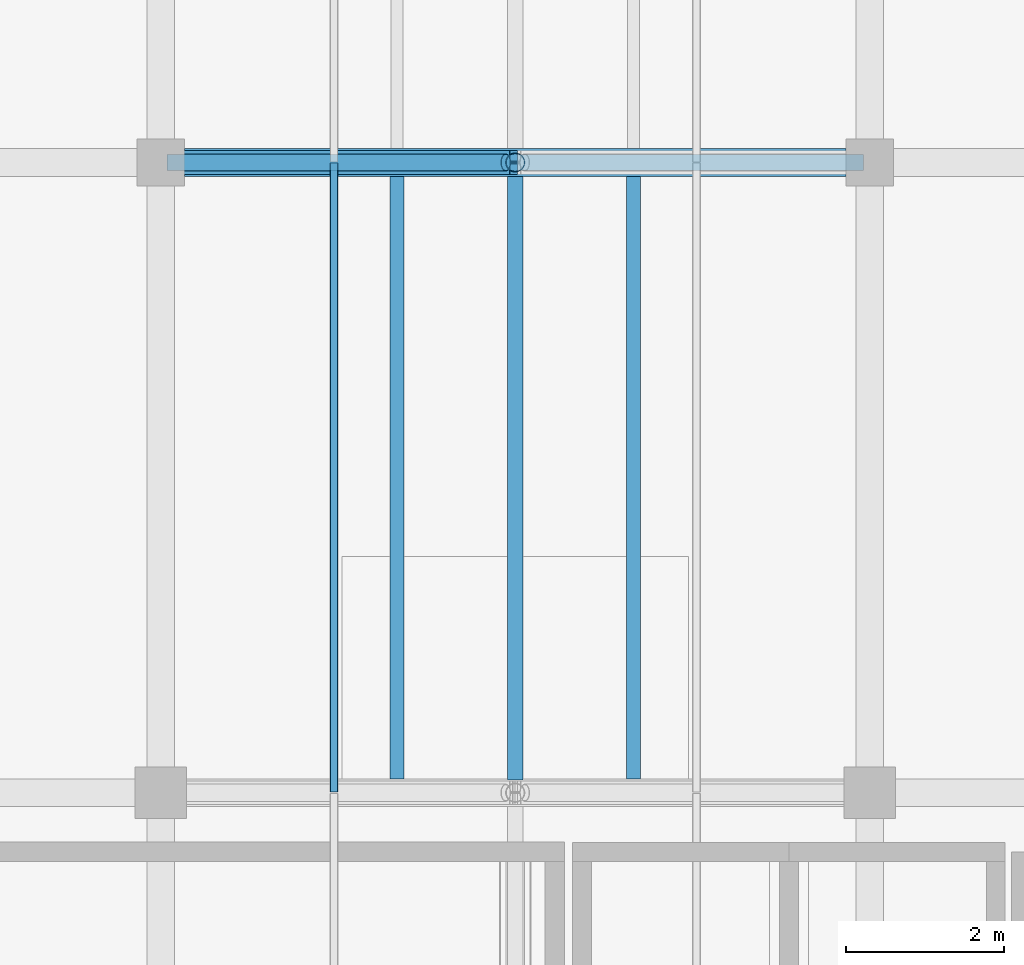
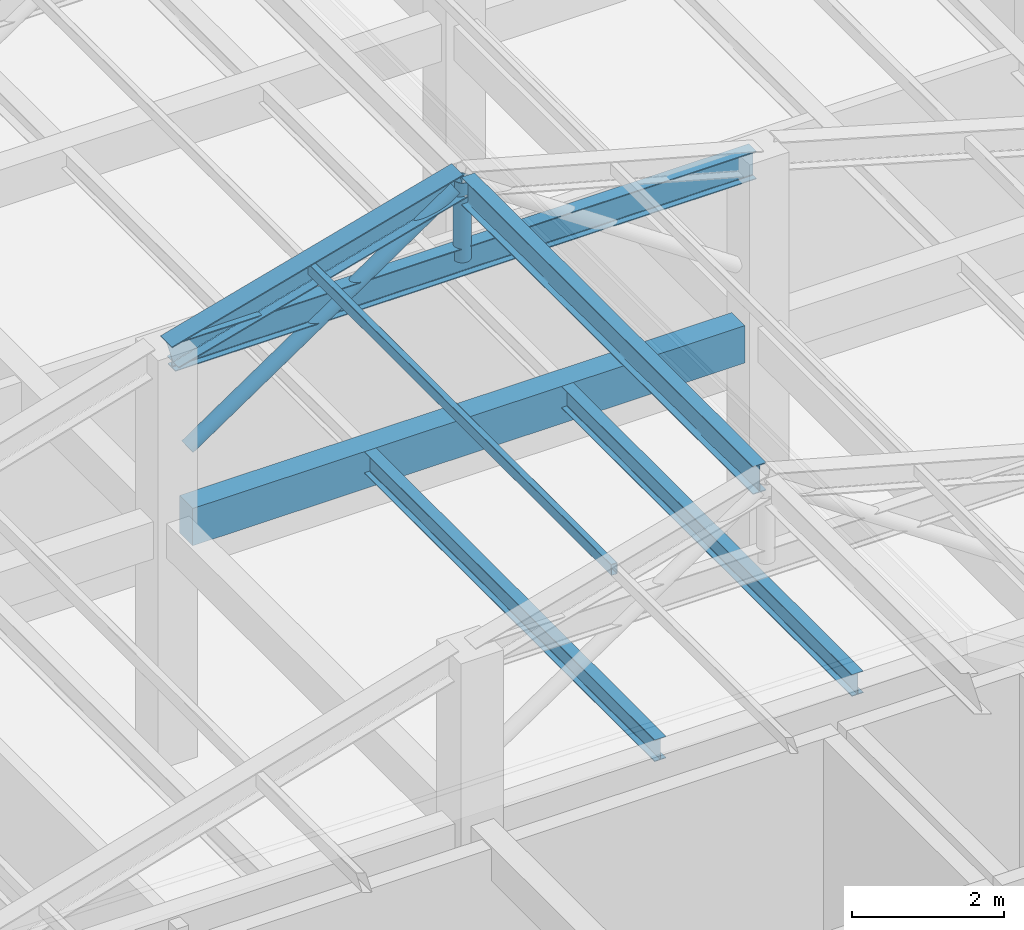
# One storey, part 23 of 58: 5 beams, 4 members.
"""IFC4 building model written with IfcOpenShell, lengths in metres."""

from ifc_helpers import new_model, si_unit, derived_unit, direction, frame, origin, origin_2d, place, context, subcontext, project, spatial, rectangle, hollow_rectangle, hollow_circle, i_section, extrude, material, material_profile, profile_set, type_object, element, save


model = new_model("IFC4")

# Units and contexts
model_context = context("Model", 3, precision=1e-05, world=origin(), true_north=direction((0.0, 1.0)))
body_context = subcontext(model_context, "Body", "Model", "MODEL_VIEW")
ifc_project = project(units=[si_unit("LENGTHUNIT", "METRE"), si_unit("AREAUNIT", "SQUARE_METRE"), si_unit("VOLUMEUNIT", "CUBIC_METRE"), si_unit("PLANEANGLEUNIT", "RADIAN"), si_unit("MASSUNIT", "GRAM", prefix="KILO"), derived_unit("THERMALTRANSMITTANCEUNIT", [(si_unit("MASSUNIT", "GRAM", prefix="KILO"), 1), (si_unit("TIMEUNIT", "SECOND"), -3), (si_unit("THERMODYNAMICTEMPERATUREUNIT", "KELVIN"), -1)])], contexts=[model_context])

# Site, building, storey
site_placement = place(None, origin())
site = spatial("IfcSite", under=ifc_project, at=site_placement, CompositionType="ELEMENT")
building_placement = place(site_placement, origin())
building = spatial("IfcBuilding", under=site, at=building_placement, Name="Zhenchuan Archway Interchange", CompositionType="ELEMENT")
storey_placement = place(building_placement, frame((0.0, 0.0, 22.800048828125)))
storey = spatial("IfcBuildingStorey", under=building, at=storey_placement, Name="L05", CompositionType="ELEMENT", Elevation=22.800048828125)

# Beams
ifc_material_1 = material(Name="Concrete C40", Category="concrete")
ifc_material_profile_1 = material_profile(ifc_material_1, rectangle(XDim=0.35009765625, YDim=0.60009765625, at=origin_2d()), Name="RC 350x600")
ifc_profile_set_1 = profile_set([ifc_material_profile_1], Name="Concrete C40")
beam_type_1 = type_object("IfcBeamType", Name="BM_RC_350x600", PredefinedType="BEAM", material=ifc_profile_set_1)
beam_1_placement = place(storey_placement, frame((153.300048828125, 72.0, 3.619873046875), z_axis=(1.0, 0.0, 0.0), x_axis=(0.0, 1.0, 0.0)))
element("IfcBeam", 1, at=beam_1_placement, inside=storey, type_object=beam_type_1, Name="Beam K:18-19 (L05)", PredefinedType="BEAM", context=body_context, shape_type="SweptSolid", body=[
    extrude(rectangle(XDim=0.35009765625, YDim=0.60009765625, at=origin_2d()), origin(), (0.0, 0.0, 1.0), 8.39990234375),
])
ifc_material_2 = material(Name="Steel Q355", Category="steel")
ifc_material_profile_2 = material_profile(ifc_material_2, i_section(OverallWidth=0.300048828125, OverallDepth=0.389892578125, WebThickness=0.010009765625, FlangeThickness=0.01611328125, FilletRadius=0.02001953125, at=origin_2d()), Name="HM 390x300")
ifc_profile_set_2 = profile_set([ifc_material_profile_2], Name="Steel Q355")
beam_type_2 = type_object("IfcBeamType", Name="BM_STL_HM390", PredefinedType="BEAM", material=ifc_profile_set_2)
beam_2_placement = place(storey_placement, frame((153.050048828125, 72.0, 6.419921875), z_axis=(0.964108539649, 0.0, 0.265508425055), x_axis=(0.0, 1.0, 0.0)))
element("IfcBeam", 2, at=beam_2_placement, inside=storey, type_object=beam_type_2, Name="ROOF TRUSS command wing T7 west apex rafter", PredefinedType="BEAM", context=body_context, shape_type="SweptSolid", body=[
    extrude(i_section(OverallWidth=0.300048828125, OverallDepth=0.389892578125, WebThickness=0.010009765625, FlangeThickness=0.01611328125, FilletRadius=0.02001953125, at=origin_2d()), origin(), (0.0, 0.0, 1.0), 4.5947265625),
])
ifc_material_profile_3 = material_profile(ifc_material_2, i_section(OverallWidth=0.199951171875, OverallDepth=0.449951171875, WebThickness=0.009033203125, FlangeThickness=0.013916015625, FilletRadius=0.01806640625, at=origin_2d()), Name="HN 450x200")
ifc_profile_set_3 = profile_set([ifc_material_profile_3], Name="Steel Q355")
beam_type_3 = type_object("IfcBeamType", Name="BM_STL_HN450", PredefinedType="BEAM", material=ifc_profile_set_3)
beam_3_placement = place(storey_placement, frame((157.5, 64.159912109375, 7.579833984375), z_axis=(0.0, 1.0, 0.0), x_axis=(-1.0, 0.0, 0.0)))
element("IfcBeam", 3, at=beam_3_placement, inside=storey, type_object=beam_type_3, Name="Command wing ridge girder 6", PredefinedType="BEAM", context=body_context, shape_type="SweptSolid", body=[
    extrude(i_section(OverallWidth=0.199951171875, OverallDepth=0.449951171875, WebThickness=0.009033203125, FlangeThickness=0.013916015625, FilletRadius=0.01806640625, at=origin_2d()), origin(), (0.0, 0.0, 1.0), 7.68017578125),
])
ifc_material_profile_4 = material_profile(ifc_material_2, i_section(OverallWidth=0.175048828125, OverallDepth=0.35009765625, WebThickness=0.007080078125, FlangeThickness=0.010986328125, FilletRadius=0.013916015625, at=origin_2d()), Name="HN 350x175")
ifc_profile_set_4 = profile_set([ifc_material_profile_4], Name="Steel Q355")
beam_type_4 = type_object("IfcBeamType", Name="JST_STL_HN350", PredefinedType="JOIST", material=ifc_profile_set_4)
for number, where, z_axis, x_axis, name in (
    (4, (156.0, 64.175048828125, 3.744873046875), (0.0, 1.0, 0.0), (-1.0, 0.0, 0.0), "Secondary joist 18-19/J-K #1 (L05)"),
    (5, (159.0, 64.175048828125, 3.744873046875), (0.0, 1.0, 0.0), (-1.0, 0.0, 0.0), "Secondary joist 18-19/J-K #2 (L05)"),
):
    element("IfcBeam", number, at=place(storey_placement, frame(where, z_axis=z_axis, x_axis=x_axis)), inside=storey, type_object=beam_type_4, Name=name, PredefinedType="JOIST", context=body_context, shape_type="SweptSolid", body=[
        extrude(i_section(OverallWidth=0.175048828125, OverallDepth=0.35009765625, WebThickness=0.007080078125, FlangeThickness=0.010986328125, FilletRadius=0.013916015625, at=origin_2d()), origin(), (0.0, 0.0, 1.0), 7.64990234375),
    ])

# Members
ifc_material_profile_5 = material_profile(ifc_material_2, i_section(OverallWidth=0.199951171875, OverallDepth=0.449951171875, WebThickness=0.009033203125, FlangeThickness=0.013916015625, FilletRadius=0.01806640625, at=origin_2d()), Name="HN 450x200")
ifc_profile_set_5 = profile_set([ifc_material_profile_5], Name="Steel Q355")
member_type_1 = type_object("IfcMemberType", Name="MB_CHD_HN450", PredefinedType="CHORD", material=ifc_profile_set_5)
member_1_placement = place(storey_placement, frame((153.080078125, 72.0, 6.3798828125), z_axis=(1.0, 0.0, 0.0), x_axis=(0.0, 1.0, 0.0)))
element("IfcMember", 6, at=member_1_placement, inside=storey, type_object=member_type_1, Name="ROOF TRUSS command wing T7 ridge collar tie", PredefinedType="CHORD", context=body_context, shape_type="SweptSolid", body=[
    extrude(i_section(OverallWidth=0.199951171875, OverallDepth=0.449951171875, WebThickness=0.009033203125, FlangeThickness=0.013916015625, FilletRadius=0.01806640625, at=origin_2d()), origin(), (0.0, 0.0, 1.0), 8.83984375),
])
ifc_material_profile_6 = material_profile(ifc_material_2, hollow_circle(Radius=0.109619140625, WallThickness=0.008056640625, at=origin_2d()), Name="CHS 219x8")
ifc_profile_set_6 = profile_set([ifc_material_profile_6], Name="Steel Q355")
member_type_2 = type_object("IfcMemberType", Name="MB_CHS219", PredefinedType="BRACE", material=ifc_profile_set_6)
member_2_placement = place(storey_placement, frame((153.320068359375, 72.0, 4.800048828125), z_axis=(0.827937334182, 0.0, 0.560820622541), x_axis=(0.0, 1.0, 0.0)))
element("IfcMember", 7, at=member_2_placement, inside=storey, type_object=member_type_2, Name="ROOF TRUSS command wing T7 west apex diagonal", PredefinedType="BRACE", context=body_context, shape_type="SweptSolid", body=[
    extrude(hollow_circle(Radius=0.109619140625, WallThickness=0.008056640625, at=origin_2d()), origin(), (0.0, 0.0, 1.0), 4.903564453125),
])
ifc_material_profile_7 = material_profile(ifc_material_2, hollow_circle(Radius=0.12255859375, WallThickness=0.010009765625, at=origin_2d()), Name="CHS 245x10")
ifc_profile_set_7 = profile_set([ifc_material_profile_7], Name="Steel Q355")
member_type_3 = type_object("IfcMemberType", Name="MB_CHS245", PredefinedType="BRACE", material=ifc_profile_set_7)
member_3_placement = place(storey_placement, frame((157.5, 72.0, 6.3798828125), z_axis=(0.0, 0.0, 1.0), x_axis=(1.0, 0.0, 0.0)))
element("IfcMember", 8, at=member_3_placement, inside=storey, type_object=member_type_3, Name="ROOF TRUSS command wing T7 apex king-post", PredefinedType="BRACE", context=body_context, shape_type="SweptSolid", body=[
    extrude(hollow_circle(Radius=0.12255859375, WallThickness=0.010009765625, at=origin_2d()), origin(), (0.0, 0.0, 1.0), 1.280029296875),
])
ifc_material_profile_8 = material_profile(ifc_material_2, hollow_rectangle(XDim=0.10009765625, YDim=0.179931640625, WallThickness=0.006103515625, InnerFilletRadius=0.006103515625, OuterFilletRadius=0.011962890625, at=origin_2d()), Name="RHS 180x100x6")
ifc_profile_set_8 = profile_set([ifc_material_profile_8], Name="Steel Q355")
member_type_4 = type_object("IfcMemberType", Name="MB_RHS180", PredefinedType="PURLIN", material=ifc_profile_set_8)
member_4_placement = place(storey_placement, frame((155.199951171875, 64.008056640625, 7.02001953125), z_axis=(0.0, 1.0, 0.0), x_axis=(-1.0, 0.0, 0.0)))
element("IfcMember", 9, at=member_4_placement, inside=storey, type_object=member_type_4, Name="Command wing roof purlin B6-P3", PredefinedType="PURLIN", context=body_context, shape_type="SweptSolid", body=[
    extrude(hollow_rectangle(XDim=0.10009765625, YDim=0.179931640625, WallThickness=0.006103515625, InnerFilletRadius=0.006103515625, OuterFilletRadius=0.011962890625, at=origin_2d()), origin(), (0.0, 0.0, 1.0), 7.98388671875),
])

save(model, "model.ifc")
